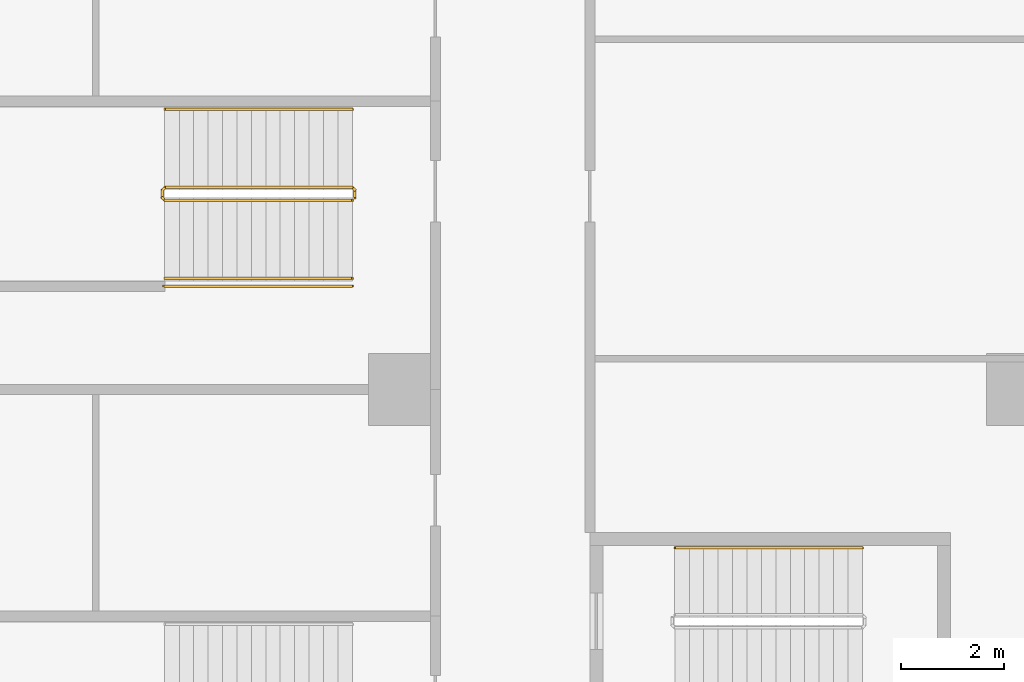
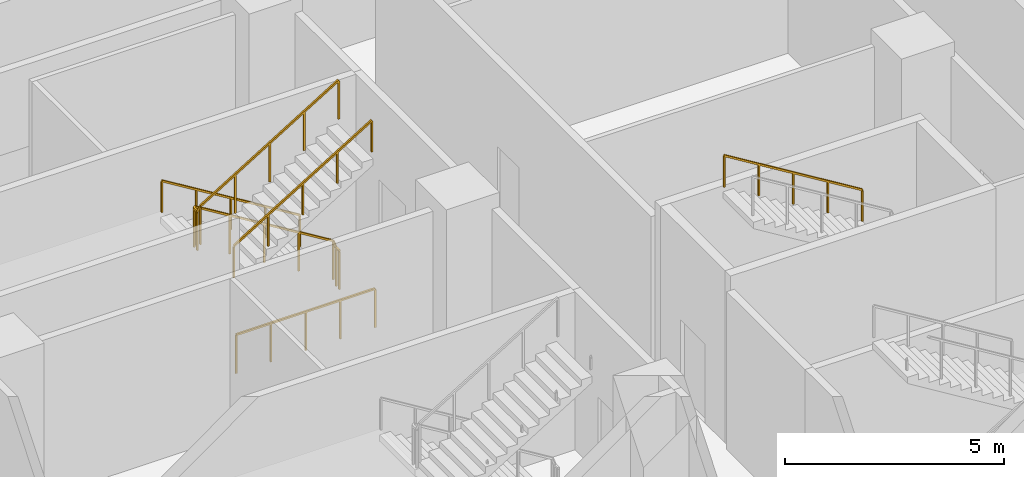
# One storey, part 31 of 31: 5 railings.
"""IFC4 building model written with IfcOpenShell, lengths in metres."""

from ifc_helpers import new_model, si_unit, direction, frame, origin, origin_2d, place, context, subcontext, project, spatial, rectangle, extrude, material, type_object, element, save


model = new_model("IFC4")

# Units and contexts
model_context = context("Model", 3, precision=1e-05, world=origin(), true_north=direction((0.0, 1.0)))
body_context = subcontext(model_context, "Body", "Model", "MODEL_VIEW")
ifc_project = project(units=[si_unit("LENGTHUNIT", "METRE"), si_unit("AREAUNIT", "SQUARE_METRE"), si_unit("VOLUMEUNIT", "CUBIC_METRE"), si_unit("PLANEANGLEUNIT", "RADIAN"), si_unit("MASSUNIT", "GRAM", prefix="KILO")], contexts=[model_context])

# Site, building, storey
site_placement = place(None, origin())
site = spatial("IfcSite", under=ifc_project, at=site_placement, CompositionType="ELEMENT")
building_placement = place(site_placement, origin())
building = spatial("IfcBuilding", under=site, at=building_placement, Name="Chenar Terraces", CompositionType="ELEMENT")
storey_placement = place(building_placement, frame((0.0, 0.0, 7.199951171875)))
storey = spatial("IfcBuildingStorey", under=building, at=storey_placement, Name="L01", CompositionType="ELEMENT", Elevation=7.199951171875)

# Railings
ifc_material_1 = material(Name="Powder-coated steel", Category="steel")
railing_type_1 = type_object("IfcRailingType", Name="Stair guard 1100", PredefinedType="GUARDRAIL", material=ifc_material_1)
railing_1_placement = place(storey_placement, frame((10.985107421875, 57.675048828125, 4.800048828125)))
element("IfcRailing", 1, at=railing_1_placement, inside=storey, type_object=railing_type_1, Name="L01 PS3 stair guard 1", PredefinedType="GUARDRAIL", context=body_context, shape_type="SweptSolid", body=[
    extrude(rectangle(XDim=0.048095703125, YDim=0.048095703125, at=origin_2d()), frame((0.0, 0.0, 1.076171875), z_axis=(-0.852865859571, 0.0, -0.52213008492), x_axis=(0.0, -1.0, 0.0)), (0.0, 0.0, 1.0), 4.26806640625),
    extrude(rectangle(XDim=0.048095703125, YDim=0.048095703125, at=origin_2d()), frame((-3.64013671875, 0.0, -1.15234375), z_axis=(-0.269911200495, 0.269911200495, -0.924281281696), x_axis=(-0.707106781187, -0.707106781187, 0.0)), (0.0, 0.0, 1.0), 0.185546875),
    extrude(rectangle(XDim=0.048095703125, YDim=0.048095703125, at=origin_2d()), frame((-3.690185546875, 0.050048828125, -1.32373046875), z_axis=(0.0, 1.0, 0.0), x_axis=(-1.0, 0.0, 0.0)), (0.0, 0.0, 1.0), 0.14990234375),
    extrude(rectangle(XDim=0.048095703125, YDim=0.048095703125, at=origin_2d()), frame((-3.690185546875, 0.199951171875, -1.32373046875), z_axis=(0.707106781187, 0.707106781187, 0.0), x_axis=(-0.707106781187, 0.707106781187, 0.0)), (0.0, 0.0, 1.0), 0.07080078125),
    extrude(rectangle(XDim=0.048095703125, YDim=0.048095703125, at=origin_2d()), frame((-3.64013671875, 0.25, -1.32373046875), z_axis=(0.852840387347, 0.0, -0.522171689878), x_axis=(0.0, 1.0, 0.0)), (0.0, 0.0, 1.0), 4.268310546875),
    extrude(rectangle(XDim=0.048095703125, YDim=0.048095703125, at=origin_2d()), frame((0.0, 0.25, -3.552734375), z_axis=(0.268689830376, -0.270006937388, -0.924609122178), x_axis=(0.708833529934, 0.705375805398, 0.0)), (0.0, 0.0, 1.0), 0.185302734375),
    extrude(rectangle(XDim=0.048095703125, YDim=0.048095703125, at=origin_2d()), frame((0.0498046875, 0.199951171875, -3.72412109375), z_axis=(0.0, -1.0, 0.0), x_axis=(1.0, 0.0, 0.0)), (0.0, 0.0, 1.0), 0.14990234375),
    extrude(rectangle(XDim=0.0419921875, YDim=0.0419921875, at=origin_2d()), origin(), (0.0, 0.0, 1.0), 1.052001953125),
    extrude(rectangle(XDim=0.0419921875, YDim=0.0419921875, at=origin_2d()), frame((-0.91015625, 0.0, -0.55712890625)), (0.0, 0.0, 1.0), 1.052001953125),
    extrude(rectangle(XDim=0.0419921875, YDim=0.0419921875, at=origin_2d()), frame((-1.820068359375, 0.0, -1.1142578125)), (0.0, 0.0, 1.0), 1.052001953125),
    extrude(rectangle(XDim=0.0419921875, YDim=0.0419921875, at=origin_2d()), frame((-2.72998046875, 0.0, -1.67138671875)), (0.0, 0.0, 1.0), 1.052001953125),
    extrude(rectangle(XDim=0.0419921875, YDim=0.0419921875, at=origin_2d()), frame((-3.64013671875, 0.0, -2.228515625)), (0.0, 0.0, 1.0), 1.052001953125),
    extrude(rectangle(XDim=0.0419921875, YDim=0.0419921875, at=origin_2d()), frame((-3.690185546875, 0.050048828125, -2.39990234375)), (0.0, 0.0, 1.0), 1.052001953125),
    extrude(rectangle(XDim=0.0419921875, YDim=0.0419921875, at=origin_2d()), frame((-3.690185546875, 0.199951171875, -2.39990234375)), (0.0, 0.0, 1.0), 1.052001953125),
    extrude(rectangle(XDim=0.0419921875, YDim=0.0419921875, at=origin_2d()), frame((-3.64013671875, 0.25, -2.39990234375)), (0.0, 0.0, 1.0), 1.052001953125),
    extrude(rectangle(XDim=0.0419921875, YDim=0.0419921875, at=origin_2d()), frame((-2.72998046875, 0.25, -2.95703125)), (0.0, 0.0, 1.0), 1.052001953125),
    extrude(rectangle(XDim=0.0419921875, YDim=0.0419921875, at=origin_2d()), frame((-1.820068359375, 0.25, -3.51416015625)), (0.0, 0.0, 1.0), 1.052001953125),
    extrude(rectangle(XDim=0.0419921875, YDim=0.0419921875, at=origin_2d()), frame((-0.91015625, 0.25, -4.071533203125)), (0.0, 0.0, 1.0), 1.052001953125),
    extrude(rectangle(XDim=0.0419921875, YDim=0.0419921875, at=origin_2d()), frame((0.0, 0.25, -4.628662109375)), (0.0, 0.0, 1.0), 1.052001953125),
    extrude(rectangle(XDim=0.0419921875, YDim=0.0419921875, at=origin_2d()), frame((0.0498046875, 0.199951171875, -4.800048828125)), (0.0, 0.0, 1.0), 1.052001953125),
    extrude(rectangle(XDim=0.0419921875, YDim=0.0419921875, at=origin_2d()), frame((0.0498046875, 0.050048828125, -4.800048828125)), (0.0, 0.0, 1.0), 1.052001953125),
])
railing_2_placement = place(storey_placement, frame((7.32421875, 56.010009765625, 0.0)))
element("IfcRailing", 2, at=railing_2_placement, inside=storey, type_object=railing_type_1, Name="L01 PS3 stair guard 101", PredefinedType="GUARDRAIL", context=body_context, shape_type="SweptSolid", body=[
    extrude(rectangle(XDim=0.048095703125, YDim=0.048095703125, at=origin_2d()), frame((0.0, 0.0, 1.076171875), z_axis=(1.0, 0.0, 0.0), x_axis=(0.0, 1.0, 0.0)), (0.0, 0.0, 1.0), 3.660888671875),
    extrude(rectangle(XDim=0.0419921875, YDim=0.0419921875, at=origin_2d()), origin(), (0.0, 0.0, 1.0), 1.052001953125),
    extrude(rectangle(XDim=0.0419921875, YDim=0.0419921875, at=origin_2d()), frame((0.915283203125, 0.0, 0.0)), (0.0, 0.0, 1.0), 1.052001953125),
    extrude(rectangle(XDim=0.0419921875, YDim=0.0419921875, at=origin_2d()), frame((1.83056640625, 0.0, 0.0)), (0.0, 0.0, 1.0), 1.052001953125),
    extrude(rectangle(XDim=0.0419921875, YDim=0.0419921875, at=origin_2d()), frame((2.74560546875, 0.0, 0.0)), (0.0, 0.0, 1.0), 1.052001953125),
    extrude(rectangle(XDim=0.0419921875, YDim=0.0419921875, at=origin_2d()), frame((3.660888671875, 0.0, 0.0)), (0.0, 0.0, 1.0), 1.052001953125),
])
ifc_material_2 = material(Name="Powder-coated steel", Category="steel")
railing_type_2 = type_object("IfcRailingType", Name="Stair handrail 900", PredefinedType="HANDRAIL", material=ifc_material_2)
railing_3_placement = place(storey_placement, frame((20.889892578125, 50.925048828125, 2.571533203125)))
element("IfcRailing", 3, at=railing_3_placement, inside=storey, type_object=railing_type_2, Name="L01 ST4 stair handrail 2", PredefinedType="HANDRAIL", context=body_context, shape_type="SweptSolid", body=[
    extrude(rectangle(XDim=0.048095703125, YDim=0.048095703125, at=origin_2d()), frame((0.0, 0.0, 0.8759765625), z_axis=(-0.852850264322, 0.0, 0.5221555579), x_axis=(0.0, -1.0, 0.0)), (0.0, 0.0, 1.0), 4.267822265625),
    extrude(rectangle(XDim=0.0419921875, YDim=0.0419921875, at=origin_2d()), origin(), (0.0, 0.0, 1.0), 0.851806640625),
    extrude(rectangle(XDim=0.0419921875, YDim=0.0419921875, at=origin_2d()), frame((-0.909912109375, 0.0, 0.55712890625)), (0.0, 0.0, 1.0), 0.851806640625),
    extrude(rectangle(XDim=0.0419921875, YDim=0.0419921875, at=origin_2d()), frame((-1.81982421875, 0.0, 1.1142578125)), (0.0, 0.0, 1.0), 0.851806640625),
    extrude(rectangle(XDim=0.0419921875, YDim=0.0419921875, at=origin_2d()), frame((-2.72998046875, 0.0, 1.67138671875)), (0.0, 0.0, 1.0), 0.851806640625),
    extrude(rectangle(XDim=0.0419921875, YDim=0.0419921875, at=origin_2d()), frame((-3.639892578125, 0.0, 2.228515625)), (0.0, 0.0, 1.0), 0.851806640625),
])
railing_4_placement = place(storey_placement, frame((10.985107421875, 59.43994140625, 0.17138671875)))
element("IfcRailing", 4, at=railing_4_placement, inside=storey, type_object=railing_type_2, Name="L01 PS3 stair handrail 1", PredefinedType="HANDRAIL", context=body_context, shape_type="SweptSolid", body=[
    extrude(rectangle(XDim=0.048095703125, YDim=0.048095703125, at=origin_2d()), frame((0.0, 0.0, 0.8759765625), z_axis=(-0.852840387347, 0.0, 0.522171689878), x_axis=(0.0, -1.0, 0.0)), (0.0, 0.0, 1.0), 4.268310546875),
    extrude(rectangle(XDim=0.0419921875, YDim=0.0419921875, at=origin_2d()), origin(), (0.0, 0.0, 1.0), 0.851806640625),
    extrude(rectangle(XDim=0.0419921875, YDim=0.0419921875, at=origin_2d()), frame((-0.91015625, 0.0, 0.55712890625)), (0.0, 0.0, 1.0), 0.851806640625),
    extrude(rectangle(XDim=0.0419921875, YDim=0.0419921875, at=origin_2d()), frame((-1.820068359375, 0.0, 1.1142578125)), (0.0, 0.0, 1.0), 0.851806640625),
    extrude(rectangle(XDim=0.0419921875, YDim=0.0419921875, at=origin_2d()), frame((-2.72998046875, 0.0, 1.671630859375)), (0.0, 0.0, 1.0), 0.851806640625),
    extrude(rectangle(XDim=0.0419921875, YDim=0.0419921875, at=origin_2d()), frame((-3.64013671875, 0.0, 2.228759765625)), (0.0, 0.0, 1.0), 0.851806640625),
])
railing_5_placement = place(storey_placement, frame((7.344970703125, 56.159912109375, 2.571533203125)))
element("IfcRailing", 5, at=railing_5_placement, inside=storey, type_object=railing_type_2, Name="L01 PS3 stair handrail 2", PredefinedType="HANDRAIL", context=body_context, shape_type="SweptSolid", body=[
    extrude(rectangle(XDim=0.048095703125, YDim=0.048095703125, at=origin_2d()), frame((0.0, 0.0, 0.8759765625), z_axis=(0.852865859571, 0.0, 0.52213008492), x_axis=(0.0, 1.0, 0.0)), (0.0, 0.0, 1.0), 4.26806640625),
    extrude(rectangle(XDim=0.0419921875, YDim=0.0419921875, at=origin_2d()), origin(), (0.0, 0.0, 1.0), 0.851806640625),
    extrude(rectangle(XDim=0.0419921875, YDim=0.0419921875, at=origin_2d()), frame((0.91015625, 0.0, 0.55712890625)), (0.0, 0.0, 1.0), 0.851806640625),
    extrude(rectangle(XDim=0.0419921875, YDim=0.0419921875, at=origin_2d()), frame((1.820068359375, 0.0, 1.1142578125)), (0.0, 0.0, 1.0), 0.851806640625),
    extrude(rectangle(XDim=0.0419921875, YDim=0.0419921875, at=origin_2d()), frame((2.72998046875, 0.0, 1.67138671875)), (0.0, 0.0, 1.0), 0.851806640625),
    extrude(rectangle(XDim=0.0419921875, YDim=0.0419921875, at=origin_2d()), frame((3.64013671875, 0.0, 2.228515625)), (0.0, 0.0, 1.0), 0.851806640625),
])

save(model, "model.ifc")
